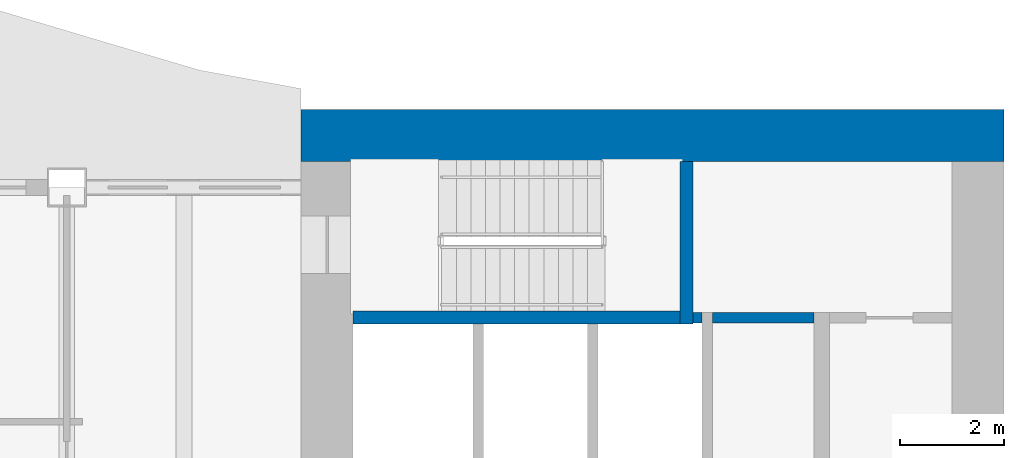
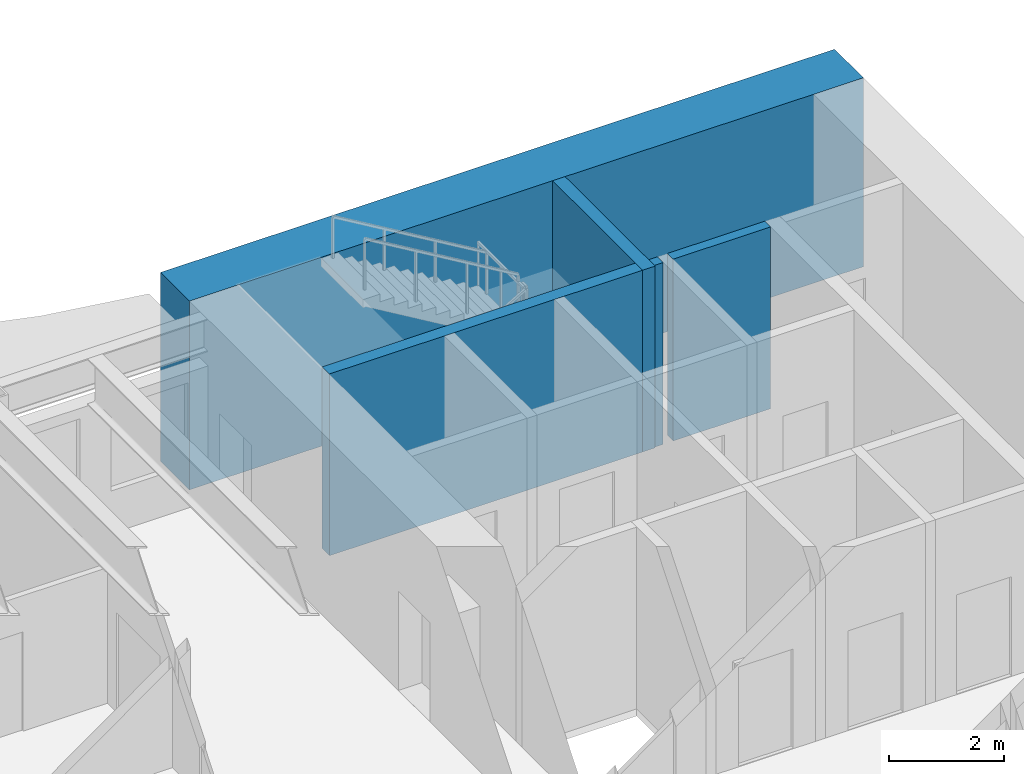
# One storey, part 8 of 17: 5 walls.
"""IFC4 building model written with IfcOpenShell, lengths in metres."""

from ifc_helpers import new_model, si_unit, direction, frame, frame_2d, origin, place, context, subcontext, project, spatial, rectangle, extrude, material, layer, layer_set, type_object, element, save


model = new_model("IFC4")

# Units and contexts
model_context = context("Model", 3, precision=1e-05, world=origin(), true_north=direction((0.0, 1.0)))
body_context = subcontext(model_context, "Body", "Model", "MODEL_VIEW")
ifc_project = project(units=[si_unit("LENGTHUNIT", "METRE"), si_unit("AREAUNIT", "SQUARE_METRE"), si_unit("VOLUMEUNIT", "CUBIC_METRE"), si_unit("PLANEANGLEUNIT", "RADIAN"), si_unit("MASSUNIT", "GRAM", prefix="KILO")], contexts=[model_context])

# Site, building, storey
site_placement = place(None, origin())
site = spatial("IfcSite", under=ifc_project, at=site_placement, CompositionType="ELEMENT")
building_placement = place(site_placement, origin())
building = spatial("IfcBuilding", under=site, at=building_placement, Name="Sennacour Bend Tower", CompositionType="ELEMENT")
storey_placement = place(building_placement, frame((0.0, 0.0, 215.0)))
storey = spatial("IfcBuildingStorey", under=building, at=storey_placement, Name="L49", CompositionType="ELEMENT", Elevation=215.0)

# Walls
ifc_material_1 = material(Name="Concrete C60/75", Category="concrete")
ifc_layer_1 = layer(ifc_material_1, 1.0, Name="Concrete C60/75", Category="concrete")
ifc_layer_set_1 = layer_set([ifc_layer_1], Name="Concrete C60/75")
wall_type_1 = type_object("IfcWallType", Name="Core wall 1000 C60/75", PredefinedType="SHEAR", material=ifc_layer_set_1)
wall_1_placement = place(storey_placement, frame((54.0, 22.0, -0.14990234375), z_axis=(0.0, 0.0, 1.0), x_axis=(1.0, 0.0, 0.0)))
element("IfcWall", 1, at=wall_1_placement, inside=storey, type_object=wall_type_1, Name="Core A wall L49 N", PredefinedType="SHEAR", context=body_context, shape_type="SweptSolid", body=[
    extrude(rectangle(XDim=13.5, YDim=1.0, at=frame_2d((6.75, 0.0))), origin(), (0.0, 0.0, 1.0), 4.0),
])
ifc_material_2 = material(Name="Fire-rated plasterboard partition on steel studs", Category="steel")
ifc_layer_2 = layer(ifc_material_2, 0.199951171875, Name="Fire-rated plasterboard partition on steel studs", Category="steel")
ifc_layer_set_2 = layer_set([ifc_layer_2], Name="Fire-rated plasterboard partition on steel studs")
wall_type_2 = type_object("IfcWallType", Name="Rated partition 200", PredefinedType="PARTITIONING", material=ifc_layer_set_2)
wall_2_placement = place(storey_placement, frame((61.89990234375, 18.5, 0.0), z_axis=(0.0, 0.0, 1.0), x_axis=(1.0, 0.0, 0.0)))
element("IfcWall", 2, at=wall_2_placement, inside=storey, type_object=wall_type_2, Name="P-L49-W071a", PredefinedType="PARTITIONING", context=body_context, shape_type="SweptSolid", body=[
    extrude(rectangle(XDim=1.9501953125, YDim=0.199951171875, at=frame_2d((0.97509765625, 0.0))), origin(), (0.0, 0.0, 1.0), 3.85009765625),
])
ifc_material_3 = material(Name="Concrete C50/60", Category="concrete")
ifc_layer_3 = layer(ifc_material_3, 0.199951171875, Name="Concrete C50/60", Category="concrete")
ifc_layer_set_3 = layer_set([ifc_layer_3], Name="Concrete C50/60")
wall_type_3 = type_object("IfcWallType", Name="Shaft wall 200", PredefinedType="SOLIDWALL", material=ifc_layer_set_3)
wall_3_placement = place(storey_placement, frame((61.52490234375, 18.5, 0.0), z_axis=(0.0, 0.0, 1.0), x_axis=(1.0, 0.0, 0.0)))
element("IfcWall", 3, at=wall_3_placement, inside=storey, type_object=wall_type_3, Name="P-L49-W070", PredefinedType="SOLIDWALL", context=body_context, shape_type="SweptSolid", body=[
    extrude(rectangle(XDim=0.175048828125, YDim=0.199951171875, at=frame_2d((0.08740234375, 0.0))), origin(), (0.0, 0.0, 1.0), 3.85009765625),
])
ifc_layer_4 = layer(ifc_material_1, 0.25, Name="Concrete C60/75", Category="concrete")
ifc_layer_set_4 = layer_set([ifc_layer_4], Name="Concrete C60/75")
wall_type_4 = type_object("IfcWallType", Name="Stair wall 250", PredefinedType="SHEAR", material=ifc_layer_set_4)
wall_4_placement = place(storey_placement, frame((61.39990234375, 18.375, 0.0), z_axis=(0.0, 0.0, 1.0), x_axis=(0.0, 1.0, 0.0)))
element("IfcWall", 4, at=wall_4_placement, inside=storey, type_object=wall_type_4, Name="P-L49-W042", PredefinedType="SHEAR", context=body_context, shape_type="SweptSolid", body=[
    extrude(rectangle(XDim=3.125, YDim=0.25, at=frame_2d((1.5625, 0.0))), origin(), (0.0, 0.0, 1.0), 3.85009765625),
])
wall_5_placement = place(storey_placement, frame((55.0, 18.5, 0.0), z_axis=(0.0, 0.0, 1.0), x_axis=(1.0, 0.0, 0.0)))
element("IfcWall", 5, at=wall_5_placement, inside=storey, type_object=wall_type_4, Name="P-L49-W069", PredefinedType="SHEAR", context=body_context, shape_type="SweptSolid", body=[
    extrude(rectangle(XDim=6.27490234375, YDim=0.25, at=frame_2d((3.137451171875, 0.0))), origin(), (0.0, 0.0, 1.0), 3.85009765625),
])

save(model, "model.ifc")
